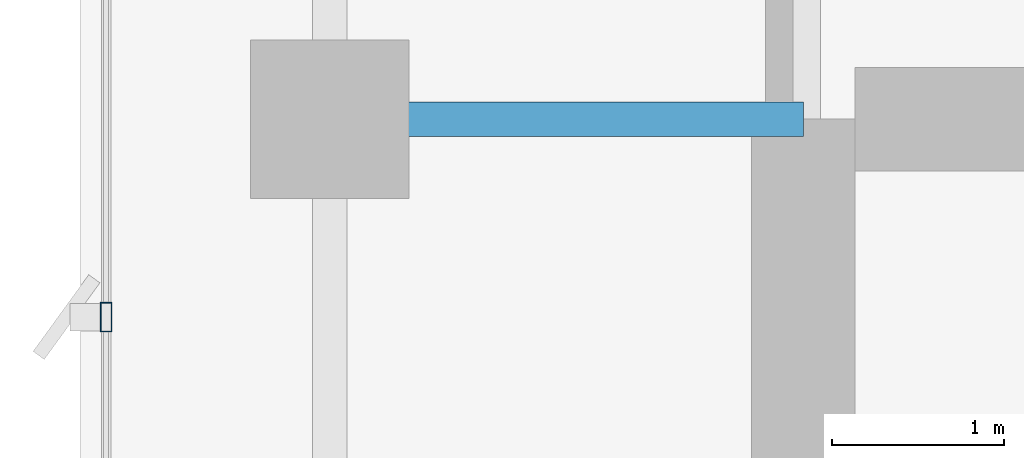
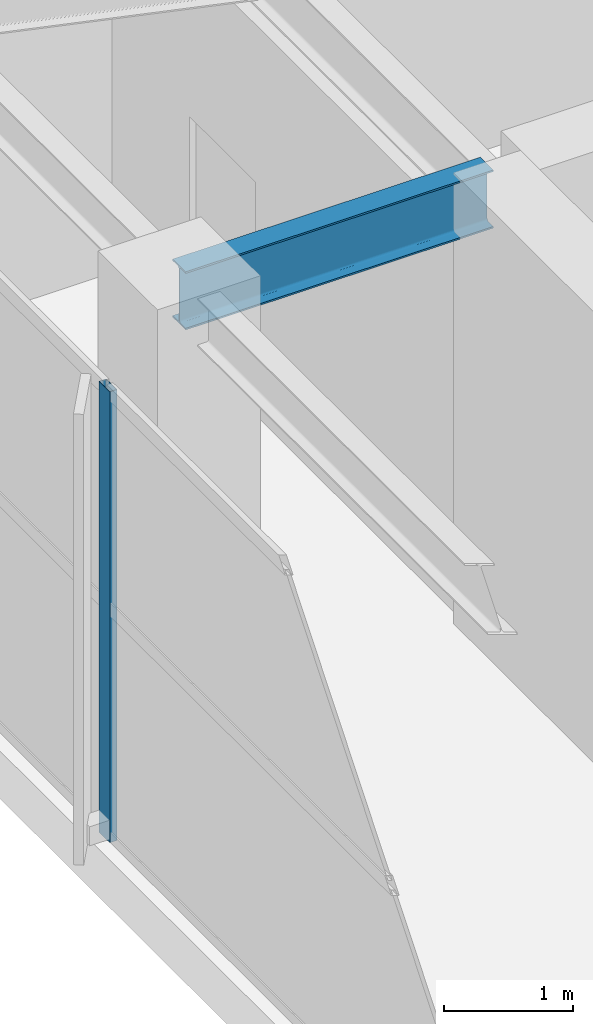
# One storey, part 14 of 25: 1 beam, 1 member, 1 element without a shape of its own.
"""IFC4 building model written with IfcOpenShell, lengths in metres."""

from ifc_helpers import new_model, si_unit, direction, frame, origin, origin_2d, place, context, subcontext, project, spatial, hollow_rectangle, i_section, extrude, material, layer, layer_set, material_profile, profile_set, type_object, element, aggregate, save


model = new_model("IFC4")

# Units and contexts
model_context = context("Model", 3, precision=1e-05, world=origin(), true_north=direction((0.0, 1.0)))
body_context = subcontext(model_context, "Body", "Model", "MODEL_VIEW")
ifc_project = project(units=[si_unit("LENGTHUNIT", "METRE"), si_unit("AREAUNIT", "SQUARE_METRE"), si_unit("VOLUMEUNIT", "CUBIC_METRE"), si_unit("PLANEANGLEUNIT", "RADIAN"), si_unit("MASSUNIT", "GRAM", prefix="KILO")], contexts=[model_context])

# Site, building, storey
site_placement = place(None, origin())
site = spatial("IfcSite", under=ifc_project, at=site_placement, CompositionType="ELEMENT")
building_placement = place(site_placement, origin())
building = spatial("IfcBuilding", under=site, at=building_placement, Name="Calvorn Quay Hotel", CompositionType="ELEMENT")
storey_placement = place(building_placement, frame((0.0, 0.0, 307.0)))
storey = spatial("IfcBuildingStorey", under=building, at=storey_placement, Name="L76", CompositionType="ELEMENT", Elevation=307.0)

# Beam
ifc_material_1 = material(Name="Steel Q355B", Category="steel")
ifc_material_profile_1 = material_profile(ifc_material_1, i_section(OverallWidth=0.199951171875, OverallDepth=0.550048828125, WebThickness=0.010009765625, FlangeThickness=0.01611328125, FilletRadius=0.01806640625, at=origin_2d()), Name="HN550x200x10x16")
ifc_profile_set_1 = profile_set([ifc_material_profile_1], Name="Steel Q355B")
beam_type = type_object("IfcBeamType", Name="BM-GIRD-UPP", PredefinedType="BEAM", material=ifc_profile_set_1)
beam_placement = place(storey_placement, frame((1.449951171875, 38.39990234375, 3.965087890625), z_axis=(1.0, 0.0, 0.0), x_axis=(0.0, 1.0, 0.0)))
element("IfcBeam", 1, at=beam_placement, inside=storey, type_object=beam_type, Name="Beam BG-L76-W3", PredefinedType="BEAM", context=body_context, shape_type="SweptSolid", body=[
    extrude(i_section(OverallWidth=0.199951171875, OverallDepth=0.550048828125, WebThickness=0.010009765625, FlangeThickness=0.01611328125, FilletRadius=0.01806640625, at=origin_2d()), origin(), (0.0, 0.0, 1.0), 2.75),
])

# Curtain wall, member
ifc_material_2 = material(Name="Champagne Bronze Anodised Aluminium and Low-E Glass", Category="aluminium")
ifc_layer = layer(ifc_material_2, 0.219970703125)
ifc_layer_set = layer_set([ifc_layer], Name="CW-SYS-Z4")
curtain_wall_type = type_object("IfcCurtainWallType", Name="CW-SYS-Z4", PredefinedType="NOTDEFINED", material=ifc_layer_set)
curtain_wall_placement = place(storey_placement, origin())
curtain_wall = element("IfcCurtainWall", 2, at=curtain_wall_placement, inside=storey, type_object=curtain_wall_type, Name="Tower West Curtain Wall (L76)", PredefinedType="NOTDEFINED")
ifc_material_3 = material(Name="Champagne Bronze Anodised Aluminium 6063-T6", Category="aluminium")
ifc_material_profile_2 = material_profile(ifc_material_3, hollow_rectangle(XDim=0.06494140625, YDim=0.169921875, WallThickness=0.00341796875, at=origin_2d()), Name="ALU-M170x65x3.5")
ifc_profile_set_2 = profile_set([ifc_material_profile_2], Name="Champagne Bronze Anodised Aluminium 6063-T6")
member_type = type_object("IfcMemberType", Name="CW-SYS-Z4-MUL", PredefinedType="MULLION", material=ifc_profile_set_2)
member_placement = place(storey_placement, frame((0.14990234375, 37.25, 0.0), z_axis=(0.0, 0.0, 1.0), x_axis=(-1.0, 0.0, 0.0)))
member = element("IfcMember", 3, at=member_placement, type_object=member_type, Name="CW-L76-W mullion 4", PredefinedType="MULLION", context=body_context, shape_type="SweptSolid", body=[
    extrude(hollow_rectangle(XDim=0.06494140625, YDim=0.169921875, WallThickness=0.00341796875, at=origin_2d()), origin(), (0.0, 0.0, 1.0), 4.260009765625),
])
aggregate(curtain_wall, [member])

save(model, "model.ifc")
